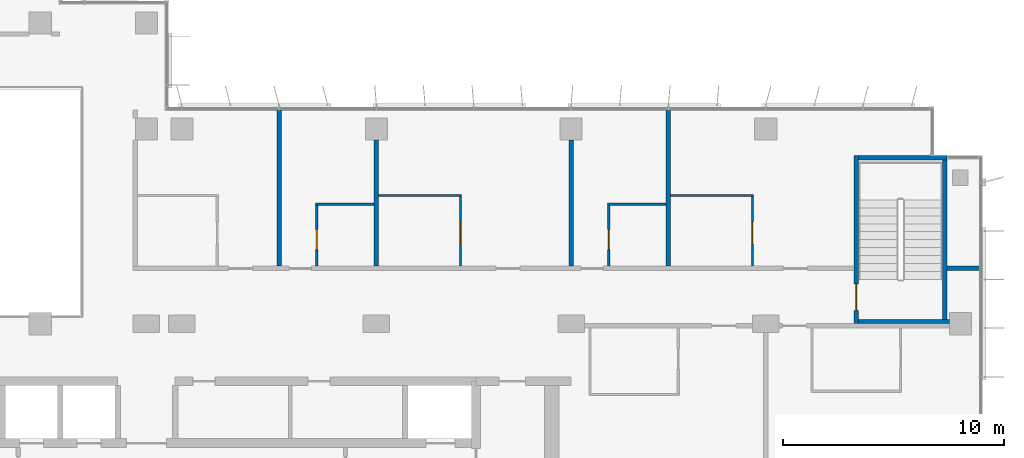
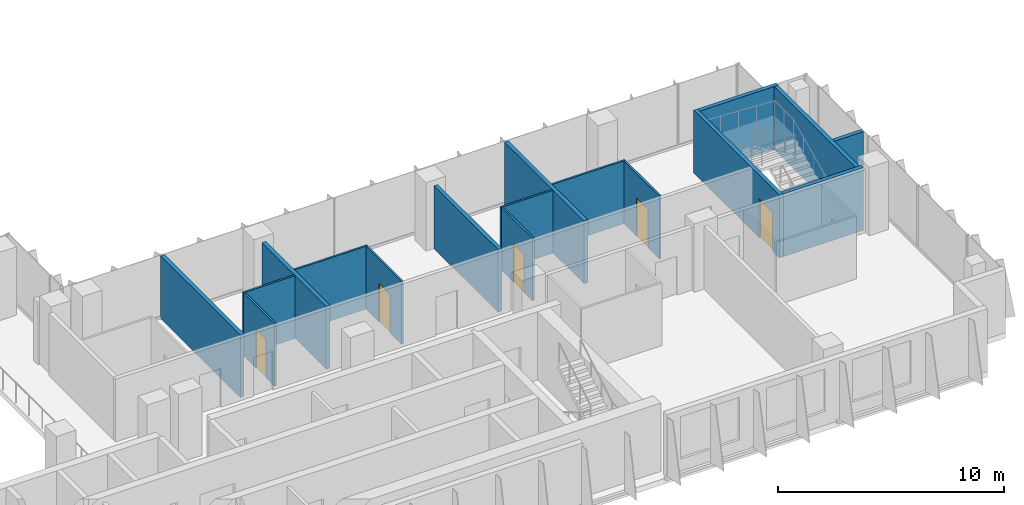
# One storey, part 15 of 21: 17 walls, 5 doors, 5 openings.
"""IFC4 building model written with IfcOpenShell, lengths in metres."""

from ifc_helpers import new_model, si_unit, direction, frame, frame_2d, origin, place, context, subcontext, project, spatial, rectangle, extrude, material, layer, layer_set, type_object, element, fill, save


model = new_model("IFC4")

# Units and contexts
model_context = context("Model", 3, precision=1e-05, world=origin(), true_north=direction((0.0, 1.0)))
body_context = subcontext(model_context, "Body", "Model", "MODEL_VIEW")
ifc_project = project(units=[si_unit("LENGTHUNIT", "METRE"), si_unit("AREAUNIT", "SQUARE_METRE"), si_unit("VOLUMEUNIT", "CUBIC_METRE"), si_unit("PLANEANGLEUNIT", "RADIAN"), si_unit("MASSUNIT", "GRAM", prefix="KILO")], contexts=[model_context])

# Site, building, storey
site_placement = place(None, origin())
site = spatial("IfcSite", under=ifc_project, at=site_placement, CompositionType="ELEMENT")
building_placement = place(site_placement, origin())
building = spatial("IfcBuilding", under=site, at=building_placement, Name="Kemantara Hotel Tower", CompositionType="ELEMENT")
storey_placement = place(building_placement, frame((0.0, 0.0, 160.5)))
storey = spatial("IfcBuildingStorey", under=building, at=storey_placement, Name="L39", CompositionType="ELEMENT", Elevation=160.5)

# Wall
ifc_material_1 = material(Name="Gypsum board partition, steel studs and mineral wool, 200 mm", Category="steel")
ifc_layer_1 = layer(ifc_material_1, 0.199951171875)
ifc_layer_set_1 = layer_set([ifc_layer_1], Name="Gypsum board partition, steel studs and mineral wool, 200 mm")
wall_type_1 = type_object("IfcWallType", Name="CORRIDOR WALL 200", PredefinedType="PARTITIONING", material=ifc_layer_set_1)
wall_1_placement = place(storey_placement, frame((62.0, 14.699951171875, 0.0), z_axis=(0.0, 0.0, 1.0), x_axis=(1.0, 0.0, 0.0)))
element("IfcWall", 1, at=wall_1_placement, inside=storey, type_object=wall_type_1, Name="CORRIDOR WALL 200 005", PredefinedType="PARTITIONING", context=body_context, shape_type="SweptSolid", body=[
    extrude(rectangle(XDim=1.47998046875, YDim=0.199951171875, at=frame_2d((0.739990234375, 0.0))), origin(), (0.0, 0.0, 1.0), 3.39990234375),
])

# Wall, opening, door
ifc_material_2 = material(Name="Concrete fc 40 MPa", Category="concrete")
ifc_layer_2 = layer(ifc_material_2, 0.199951171875)
ifc_layer_set_2 = layer_set([ifc_layer_2], Name="Concrete fc 40 MPa")
wall_type_2 = type_object("IfcWallType", Name="Concrete stair wall 200 mm", PredefinedType="SHEAR", material=ifc_layer_set_2)
wall_2_placement = place(storey_placement, frame((57.89990234375, 12.199951171875, 0.0), z_axis=(0.0, 0.0, 1.0), x_axis=(0.0, 1.0, 0.0)))
wall_2 = element("IfcWall", 2, at=wall_2_placement, inside=storey, type_object=wall_type_2, Name="Stair ST3 enclosure wall with door", PredefinedType="SHEAR", context=body_context, shape_type="SweptSolid", body=[
    extrude(rectangle(XDim=7.60009765625, YDim=0.199951171875, at=frame_2d((3.800048828125, 0.0))), origin(), (0.0, 0.0, 1.0), 3.39990234375),
])
opening_1_placement = place(wall_2_placement, frame((0.60009765625, 0.0, 0.0)))
opening_1 = element("IfcOpeningElement", 3, at=opening_1_placement, cuts=wall_2, Name="Opening ST3-C", PredefinedType="OPENING", context=body_context, shape_type="SweptSolid", body=[
    extrude(rectangle(XDim=1.199951171875, YDim=2.10009765625, at=frame_2d((0.60009765625, 1.050048828125))), frame((0.0, 0.10986328125, 0.0), z_axis=(0.0, -1.0, 0.0), x_axis=(1.0, 0.0, 0.0)), (0.0, 0.0, 1.0), 0.219970703125),
])
ifc_material_3 = material(Name="Steel fire door", Category="steel")
door_type_1 = type_object("IfcDoorType", Name="Fire door FD90 1200 x 2100", OperationType="NOTDEFINED", PredefinedType="DOOR", material=ifc_material_3)
door_1_placement = place(opening_1_placement, frame((1.199951171875, 0.0, 0.0), z_axis=(0.0, 0.0, 1.0), x_axis=(-1.0, 0.0, 0.0)))
door_1 = element("IfcDoor", 4, at=door_1_placement, inside=storey, type_object=door_type_1, Name="Stair ST3 door", OperationType="SINGLE_SWING_RIGHT", OverallHeight=2.10009765625, OverallWidth=1.199951171875, PredefinedType="DOOR", context=body_context, shape_type="SweptSolid", body=[
    extrude(rectangle(XDim=1.199951171875, YDim=2.10009765625, at=frame_2d((0.60009765625, 1.050048828125))), frame((0.0, 0.02490234375, 0.0), z_axis=(0.0, -1.0, 0.0), x_axis=(1.0, 0.0, 0.0)), (0.0, 0.0, 1.0), 0.050048828125),
])
fill(opening_1, door_1)

# Walls
wall_3_placement = place(storey_placement, frame((58.0, 19.699951171875, 0.0), z_axis=(0.0, 0.0, 1.0), x_axis=(1.0, 0.0, 0.0)))
element("IfcWall", 5, at=wall_3_placement, inside=storey, type_object=wall_type_2, Name="Stair ST3 enclosure wall N", PredefinedType="SHEAR", context=body_context, shape_type="SweptSolid", body=[
    extrude(rectangle(XDim=4.0, YDim=0.199951171875, at=frame_2d((2.0, 0.0))), origin(), (0.0, 0.0, 1.0), 3.39990234375),
])
wall_4_placement = place(storey_placement, frame((58.0, 12.300048828125, 0.0), z_axis=(0.0, 0.0, 1.0), x_axis=(1.0, 0.0, 0.0)))
element("IfcWall", 6, at=wall_4_placement, inside=storey, type_object=wall_type_2, Name="Stair ST3 enclosure wall S", PredefinedType="SHEAR", context=body_context, shape_type="SweptSolid", body=[
    extrude(rectangle(XDim=4.10009765625, YDim=0.199951171875, at=frame_2d((2.050048828125, 0.0))), origin(), (0.0, 0.0, 1.0), 3.39990234375),
])
wall_5_placement = place(storey_placement, frame((61.89990234375, 12.39990234375, 0.0), z_axis=(0.0, 0.0, 1.0), x_axis=(0.0, 1.0, 0.0)))
element("IfcWall", 7, at=wall_5_placement, inside=storey, type_object=wall_type_2, Name="Stair ST3 enclosure wall E", PredefinedType="SHEAR", context=body_context, shape_type="SweptSolid", body=[
    extrude(rectangle(XDim=7.2001953125, YDim=0.199951171875, at=frame_2d((3.60009765625, 0.0))), origin(), (0.0, 0.0, 1.0), 3.39990234375),
])
ifc_layer_3 = layer(ifc_material_1, 0.199951171875)
ifc_layer_set_3 = layer_set([ifc_layer_3], Name="Gypsum board partition, steel studs and mineral wool, 200 mm")
wall_type_3 = type_object("IfcWallType", Name="GUEST ROOM PARTY WALL 200", PredefinedType="PARTITIONING", material=ifc_layer_set_3)
wall_6_placement = place(storey_placement, frame((31.800048828125, 14.800048828125, 0.0), z_axis=(0.0, 0.0, 1.0), x_axis=(0.0, 1.0, 0.0)))
element("IfcWall", 8, at=wall_6_placement, inside=storey, type_object=wall_type_3, Name="GUEST ROOM PARTY WALL 200 008", PredefinedType="PARTITIONING", context=body_context, shape_type="SweptSolid", body=[
    extrude(rectangle(XDim=7.070068359375, YDim=0.199951171875, at=frame_2d((3.53515625, 0.0))), origin(), (0.0, 0.0, 1.0), 3.39990234375),
])
for number, where, z_axis, x_axis, name in (
    (9, (36.199951171875, 14.800048828125, 0.0), (0.0, 0.0, 1.0), (0.0, 1.0, 0.0), "GUEST ROOM PARTY WALL 200 009"),
    (10, (45.0, 14.800048828125, 0.0), (0.0, 0.0, 1.0), (0.0, 1.0, 0.0), "GUEST ROOM PARTY WALL 200 010"),
):
    element("IfcWall", number, at=place(storey_placement, frame(where, z_axis=z_axis, x_axis=x_axis)), inside=storey, type_object=wall_type_3, Name=name, PredefinedType="PARTITIONING", context=body_context, shape_type="SweptSolid", body=[
        extrude(rectangle(XDim=5.699951171875, YDim=0.199951171875, at=frame_2d((2.85009765625, 0.0))), origin(), (0.0, 0.0, 1.0), 3.39990234375),
    ])
wall_7_placement = place(storey_placement, frame((49.39990234375, 14.800048828125, 0.0), z_axis=(0.0, 0.0, 1.0), x_axis=(0.0, 1.0, 0.0)))
element("IfcWall", 11, at=wall_7_placement, inside=storey, type_object=wall_type_3, Name="GUEST ROOM PARTY WALL 200 011", PredefinedType="PARTITIONING", context=body_context, shape_type="SweptSolid", body=[
    extrude(rectangle(XDim=7.070068359375, YDim=0.199951171875, at=frame_2d((3.53515625, 0.0))), origin(), (0.0, 0.0, 1.0), 3.39990234375),
])
ifc_material_4 = material(Name="Gypsum board partition on steel studs, 100 mm", Category="steel")
ifc_layer_4 = layer(ifc_material_4, 0.10009765625)
ifc_layer_set_4 = layer_set([ifc_layer_4], Name="Gypsum board partition on steel studs, 100 mm")
wall_type_4 = type_object("IfcWallType", Name="ROOM PARTITION 100", PredefinedType="PARTITIONING", material=ifc_layer_set_4)
for number, where, z_axis, x_axis, name in (
    (12, (36.300048828125, 18.0, 0.0), (0.0, 0.0, 1.0), (1.0, 0.0, 0.0), "ROOM PARTITION 100 039"),
    (13, (49.5, 18.0, 0.0), (0.0, 0.0, 1.0), (1.0, 0.0, 0.0), "ROOM PARTITION 100 040"),
):
    element("IfcWall", number, at=place(storey_placement, frame(where, z_axis=z_axis, x_axis=x_axis)), inside=storey, type_object=wall_type_4, Name=name, PredefinedType="PARTITIONING", context=body_context, shape_type="SweptSolid", body=[
        extrude(rectangle(XDim=3.75, YDim=0.10009765625, at=frame_2d((1.875, 0.0))), origin(), (0.0, 0.0, 1.0), 3.39990234375),
    ])
for number, where, z_axis, x_axis, name in (
    (14, (33.449951171875, 17.60009765625, 0.0), (0.0, 0.0, 1.0), (1.0, 0.0, 0.0), "ROOM PARTITION 100 042"),
    (15, (46.64990234375, 17.60009765625, 0.0), (0.0, 0.0, 1.0), (1.0, 0.0, 0.0), "ROOM PARTITION 100 043"),
):
    element("IfcWall", number, at=place(storey_placement, frame(where, z_axis=z_axis, x_axis=x_axis)), inside=storey, type_object=wall_type_4, Name=name, PredefinedType="PARTITIONING", context=body_context, shape_type="SweptSolid", body=[
        extrude(rectangle(XDim=2.650146484375, YDim=0.10009765625, at=frame_2d((1.3251953125, 0.0))), origin(), (0.0, 0.0, 1.0), 3.39990234375),
    ])

# Wall, opening, door
wall_8_placement = place(storey_placement, frame((33.5, 17.550048828125, 0.0), z_axis=(0.0, 0.0, 1.0), x_axis=(0.0, -1.0, 0.0)))
wall_8 = element("IfcWall", 16, at=wall_8_placement, inside=storey, type_object=wall_type_4, Name="ROOM PARTITION 100 044", PredefinedType="PARTITIONING", context=body_context, shape_type="SweptSolid", body=[
    extrude(rectangle(XDim=2.75, YDim=0.10009765625, at=frame_2d((1.375, 0.0))), origin(), (0.0, 0.0, 1.0), 3.39990234375),
])
opening_2_placement = place(wall_8_placement, frame((1.10009765625, 0.0, 0.0)))
opening_2 = element("IfcOpeningElement", 17, at=opening_2_placement, cuts=wall_8, Name="Opening F18-008", PredefinedType="OPENING", context=body_context, shape_type="SweptSolid", body=[
    extrude(rectangle(XDim=0.89990234375, YDim=2.10009765625, at=frame_2d((0.449951171875, 1.050048828125))), frame((0.0, 0.06005859375, 0.0), z_axis=(0.0, -1.0, 0.0), x_axis=(1.0, 0.0, 0.0)), (0.0, 0.0, 1.0), 0.1201171875),
])
ifc_material_5 = material(Name="Hardwood veneer door leaf with steel frame", Category="steel")
door_type_2 = type_object("IfcDoorType", Name="BATHROOM DOOR 900 X 2100", OperationType="NOTDEFINED", PredefinedType="DOOR", material=ifc_material_5)
door_2_placement = place(opening_2_placement, origin())
door_2 = element("IfcDoor", 18, at=door_2_placement, inside=storey, type_object=door_type_2, Name="BATHROOM DOOR F18-008", OperationType="SINGLE_SWING_RIGHT", OverallHeight=2.10009765625, OverallWidth=0.89990234375, PredefinedType="DOOR", context=body_context, shape_type="SweptSolid", body=[
    extrude(rectangle(XDim=0.89990234375, YDim=2.10009765625, at=frame_2d((0.449951171875, 1.050048828125))), frame((0.0, 0.02490234375, 0.0), z_axis=(0.0, -1.0, 0.0), x_axis=(1.0, 0.0, 0.0)), (0.0, 0.0, 1.0), 0.050048828125),
])
fill(opening_2, door_2)

wall_9_placement = place(storey_placement, frame((40.0, 14.800048828125, 0.0), z_axis=(0.0, 0.0, 1.0), x_axis=(0.0, 1.0, 0.0)))
wall_9 = element("IfcWall", 19, at=wall_9_placement, inside=storey, type_object=wall_type_4, Name="ROOM PARTITION 100 045", PredefinedType="PARTITIONING", context=body_context, shape_type="SweptSolid", body=[
    extrude(rectangle(XDim=3.14990234375, YDim=0.10009765625, at=frame_2d((1.574951171875, 0.0))), origin(), (0.0, 0.0, 1.0), 3.39990234375),
])
opening_3_placement = place(wall_9_placement, frame((1.0, 0.0, 0.0)))
opening_3 = element("IfcOpeningElement", 20, at=opening_3_placement, cuts=wall_9, Name="Opening F18-010", PredefinedType="OPENING", context=body_context, shape_type="SweptSolid", body=[
    extrude(rectangle(XDim=1.0, YDim=2.10009765625, at=frame_2d((0.5, 1.050048828125))), frame((0.0, 0.06005859375, 0.0), z_axis=(0.0, -1.0, 0.0), x_axis=(1.0, 0.0, 0.0)), (0.0, 0.0, 1.0), 0.1201171875),
])
door_type_3 = type_object("IfcDoorType", Name="BATHROOM DOOR 1000 X 2100", OperationType="NOTDEFINED", PredefinedType="DOOR", material=ifc_material_5)
door_3_placement = place(opening_3_placement, origin())
door_3 = element("IfcDoor", 21, at=door_3_placement, inside=storey, type_object=door_type_3, Name="BATHROOM DOOR F18-010", OperationType="SINGLE_SWING_LEFT", OverallHeight=2.10009765625, OverallWidth=1.0, PredefinedType="DOOR", context=body_context, shape_type="SweptSolid", body=[
    extrude(rectangle(XDim=1.0, YDim=2.10009765625, at=frame_2d((0.5, 1.050048828125))), frame((0.0, 0.02490234375, 0.0), z_axis=(0.0, -1.0, 0.0), x_axis=(1.0, 0.0, 0.0)), (0.0, 0.0, 1.0), 0.050048828125),
])
fill(opening_3, door_3)

wall_10_placement = place(storey_placement, frame((46.699951171875, 17.550048828125, 0.0), z_axis=(0.0, 0.0, 1.0), x_axis=(0.0, -1.0, 0.0)))
wall_10 = element("IfcWall", 22, at=wall_10_placement, inside=storey, type_object=wall_type_4, Name="ROOM PARTITION 100 046", PredefinedType="PARTITIONING", context=body_context, shape_type="SweptSolid", body=[
    extrude(rectangle(XDim=2.75, YDim=0.10009765625, at=frame_2d((1.375, 0.0))), origin(), (0.0, 0.0, 1.0), 3.39990234375),
])
opening_4_placement = place(wall_10_placement, frame((1.10009765625, 0.0, 0.0)))
opening_4 = element("IfcOpeningElement", 23, at=opening_4_placement, cuts=wall_10, Name="Opening F18-012", PredefinedType="OPENING", context=body_context, shape_type="SweptSolid", body=[
    extrude(rectangle(XDim=0.89990234375, YDim=2.10009765625, at=frame_2d((0.449951171875, 1.050048828125))), frame((0.0, 0.06005859375, 0.0), z_axis=(0.0, -1.0, 0.0), x_axis=(1.0, 0.0, 0.0)), (0.0, 0.0, 1.0), 0.1201171875),
])
door_4_placement = place(opening_4_placement, origin())
door_4 = element("IfcDoor", 24, at=door_4_placement, inside=storey, type_object=door_type_2, Name="BATHROOM DOOR F18-012", OperationType="SINGLE_SWING_RIGHT", OverallHeight=2.10009765625, OverallWidth=0.89990234375, PredefinedType="DOOR", context=body_context, shape_type="SweptSolid", body=[
    extrude(rectangle(XDim=0.89990234375, YDim=2.10009765625, at=frame_2d((0.449951171875, 1.050048828125))), frame((0.0, 0.02490234375, 0.0), z_axis=(0.0, -1.0, 0.0), x_axis=(1.0, 0.0, 0.0)), (0.0, 0.0, 1.0), 0.050048828125),
])
fill(opening_4, door_4)

wall_11_placement = place(storey_placement, frame((53.199951171875, 14.800048828125, 0.0), z_axis=(0.0, 0.0, 1.0), x_axis=(0.0, 1.0, 0.0)))
wall_11 = element("IfcWall", 25, at=wall_11_placement, inside=storey, type_object=wall_type_4, Name="ROOM PARTITION 100 047", PredefinedType="PARTITIONING", context=body_context, shape_type="SweptSolid", body=[
    extrude(rectangle(XDim=3.14990234375, YDim=0.10009765625, at=frame_2d((1.574951171875, 0.0))), origin(), (0.0, 0.0, 1.0), 3.39990234375),
])
opening_5_placement = place(wall_11_placement, frame((1.0, 0.0, 0.0)))
opening_5 = element("IfcOpeningElement", 26, at=opening_5_placement, cuts=wall_11, Name="Opening F18-014", PredefinedType="OPENING", context=body_context, shape_type="SweptSolid", body=[
    extrude(rectangle(XDim=1.0, YDim=2.10009765625, at=frame_2d((0.5, 1.050048828125))), frame((0.0, 0.06005859375, 0.0), z_axis=(0.0, -1.0, 0.0), x_axis=(1.0, 0.0, 0.0)), (0.0, 0.0, 1.0), 0.1201171875),
])
door_5_placement = place(opening_5_placement, origin())
door_5 = element("IfcDoor", 27, at=door_5_placement, inside=storey, type_object=door_type_3, Name="BATHROOM DOOR F18-014", OperationType="SINGLE_SWING_LEFT", OverallHeight=2.10009765625, OverallWidth=1.0, PredefinedType="DOOR", context=body_context, shape_type="SweptSolid", body=[
    extrude(rectangle(XDim=1.0, YDim=2.10009765625, at=frame_2d((0.5, 1.050048828125))), frame((0.0, 0.02490234375, 0.0), z_axis=(0.0, -1.0, 0.0), x_axis=(1.0, 0.0, 0.0)), (0.0, 0.0, 1.0), 0.050048828125),
])
fill(opening_5, door_5)

save(model, "model.ifc")
